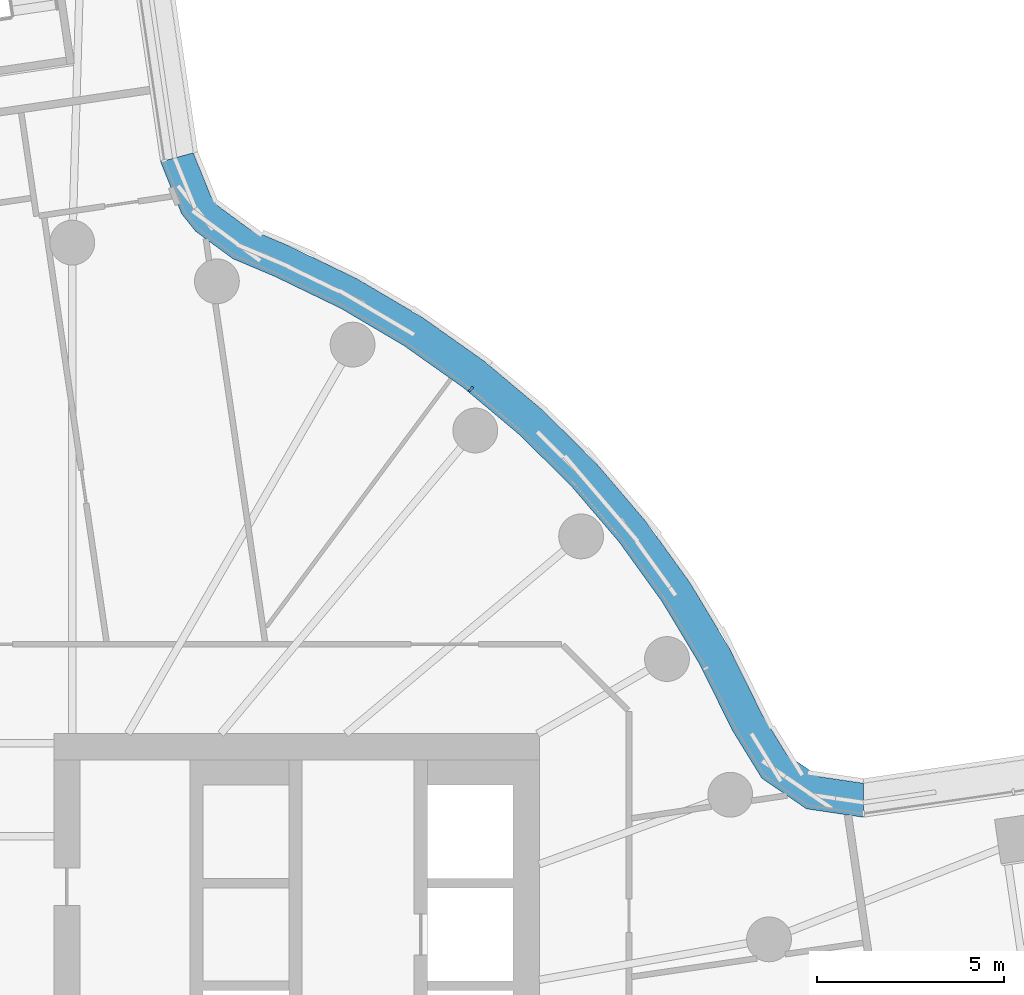
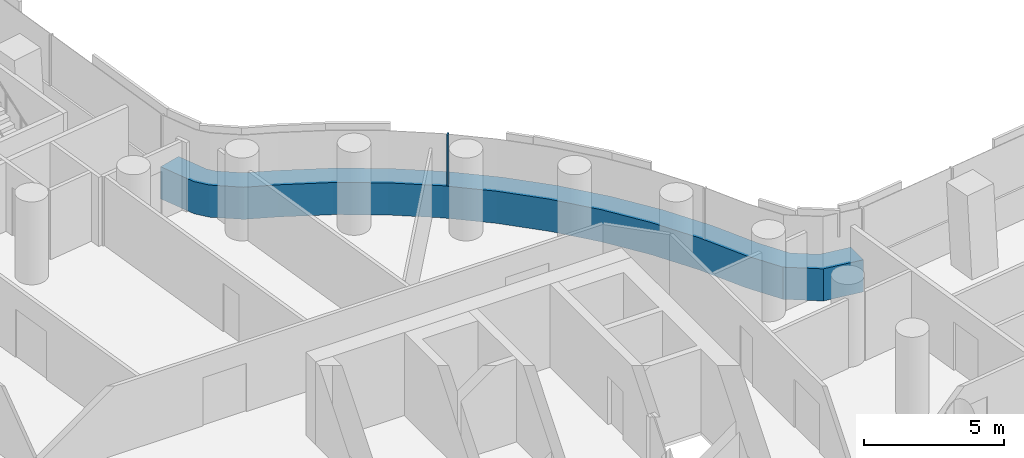
# One storey, part 16 of 31: 2 members, 1 element without a shape of its own.
"""IFC4 building model written with IfcOpenShell, lengths in metres."""

from ifc_helpers import new_model, si_unit, direction, frame, origin, origin_2d, place, context, subcontext, project, spatial, polyline, rectangle, outline, extrude, material, layer, layer_set, material_profile, profile_set, type_object, element, aggregate, save


model = new_model("IFC4")

# Units and contexts
model_context = context("Model", 3, precision=1e-05, world=origin(), true_north=direction((0.0, 1.0)))
body_context = subcontext(model_context, "Body", "Model", "MODEL_VIEW")
ifc_project = project(units=[si_unit("LENGTHUNIT", "METRE"), si_unit("AREAUNIT", "SQUARE_METRE"), si_unit("VOLUMEUNIT", "CUBIC_METRE"), si_unit("PLANEANGLEUNIT", "RADIAN"), si_unit("MASSUNIT", "GRAM", prefix="KILO")], contexts=[model_context])

# Site, building, storey
site_placement = place(None, origin())
site = spatial("IfcSite", under=ifc_project, at=site_placement, CompositionType="ELEMENT")
building_placement = place(site_placement, origin())
building = spatial("IfcBuilding", under=site, at=building_placement, Name="Tamarind Cross Interchange Tower", CompositionType="ELEMENT")
storey_placement = place(building_placement, frame((0.0, 0.0, 64.0)))
storey = spatial("IfcBuildingStorey", under=building, at=storey_placement, Name="L14", CompositionType="ELEMENT", Elevation=64.0)

# Curtain wall, members
ifc_material_1 = material(Name="Aluminium 6063-T6", Category="aluminium")
ifc_layer = layer(ifc_material_1, 0.159912109375)
ifc_layer_set = layer_set([ifc_layer], Name="Aluminium 6063-T6")
curtain_wall_type = type_object("IfcCurtainWallType", Name="Office curtain wall, 9.0 m bays", PredefinedType="NOTDEFINED", material=ifc_layer_set)
curtain_wall_placement = place(storey_placement, origin())
curtain_wall = element("IfcCurtainWall", 1, at=curtain_wall_placement, inside=storey, type_object=curtain_wall_type, Name="CWS-L14-10", PredefinedType="NOTDEFINED")
ifc_material_2 = material(Name="Aluminium and insulated spandrel panel", Category="aluminium")
member_type_1 = type_object("IfcMemberType", Name="Floor-edge blade transom", PredefinedType="USERDEFINED", material=ifc_material_2)
member_1_placement = place(storey_placement, origin())
member_1 = element("IfcMember", 2, at=member_1_placement, type_object=member_type_1, Name="CWT-L14-10", ObjectType="TRANSOM", PredefinedType="USERDEFINED", context=body_context, shape_type="SweptSolid", body=[
    extrude(outline(polyline([(25.17724609375, 7.263916015625), (23.653076171875, 7.489013671875), (22.45849609375, 8.307373046875), (21.67041015625, 9.588134765625), (20.791015625, 11.367431640625), (19.78125, 13.045654296875), (18.636474609375, 14.634521484375), (17.3642578125, 16.12353515625), (15.973388671875, 17.50244140625), (14.4736328125, 18.76171875), (12.874755859375, 19.892822265625), (11.188232421875, 20.88818359375), (9.42041015625, 21.742919921875), (8.291015625, 22.22119140625), (7.293212890625, 22.956787109375), (6.923095703125, 23.421875), (6.3583984375, 24.815185546875), (7.23291015625, 25.052978515625), (7.708251953125, 23.880615234375), (7.923095703125, 23.610595703125), (8.73974609375, 23.008544921875), (9.792236328125, 22.562744140625), (11.613525390625, 21.68212890625), (13.3642578125, 20.64892578125), (15.023681640625, 19.474853515625), (16.580810546875, 18.167724609375), (18.0244140625, 16.736572265625), (19.344970703125, 15.19091796875), (20.533203125, 13.54150390625), (21.581298828125, 11.799560546875), (22.458740234375, 10.0244140625), (23.125, 8.94189453125), (23.990234375, 8.34912109375), (25.177978515625, 8.173583984375), (25.17724609375, 7.263916015625)])), origin(), (0.0, 0.0, 1.0), 1.39990234375),
])
ifc_material_profile = material_profile(ifc_material_1, rectangle(XDim=0.06005859375, YDim=0.159912109375, at=origin_2d()), Name="Mullion CW1")
ifc_profile_set = profile_set([ifc_material_profile], Name="Aluminium 6063-T6")
member_type_2 = type_object("IfcMemberType", Name="Mullion CW1", PredefinedType="MULLION", material=ifc_profile_set)
member_2_placement = place(storey_placement, frame((14.670166015625, 18.727294921875, 1.39990234375), z_axis=(0.0, 0.0, 1.0), x_axis=(-0.765858396687, 0.643009266048, 0.0)))
member_2 = element("IfcMember", 3, at=member_2_placement, type_object=member_type_2, Name="CWM-L14-10-02", PredefinedType="MULLION", context=body_context, shape_type="SweptSolid", body=[
    extrude(rectangle(XDim=0.06005859375, YDim=0.159912109375, at=origin_2d()), origin(), (0.0, 0.0, 1.0), 2.210205078125),
])
aggregate(curtain_wall, [member_2, member_1])

save(model, "model.ifc")
